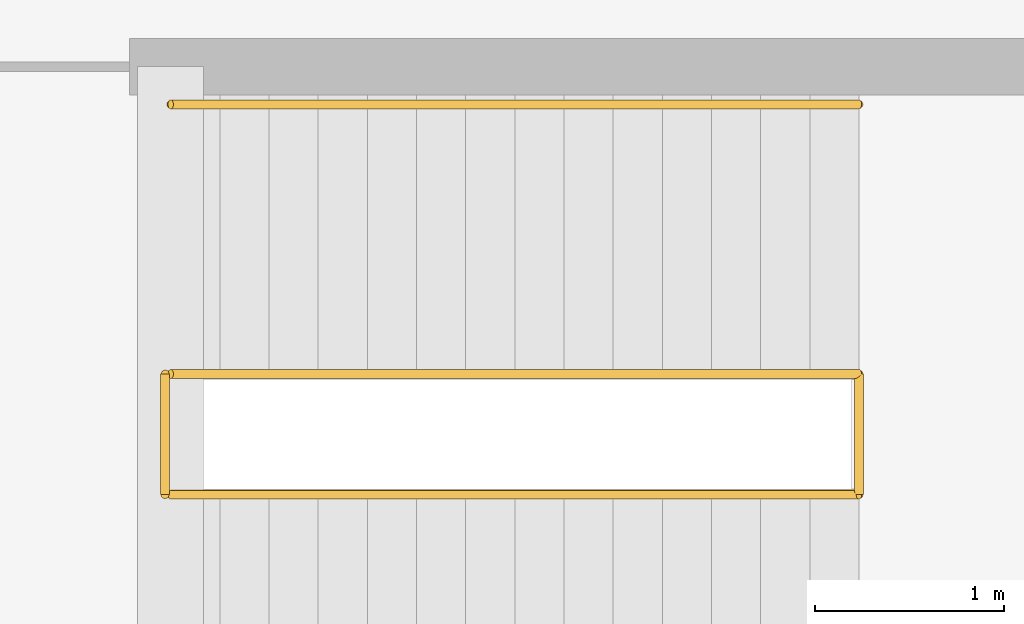
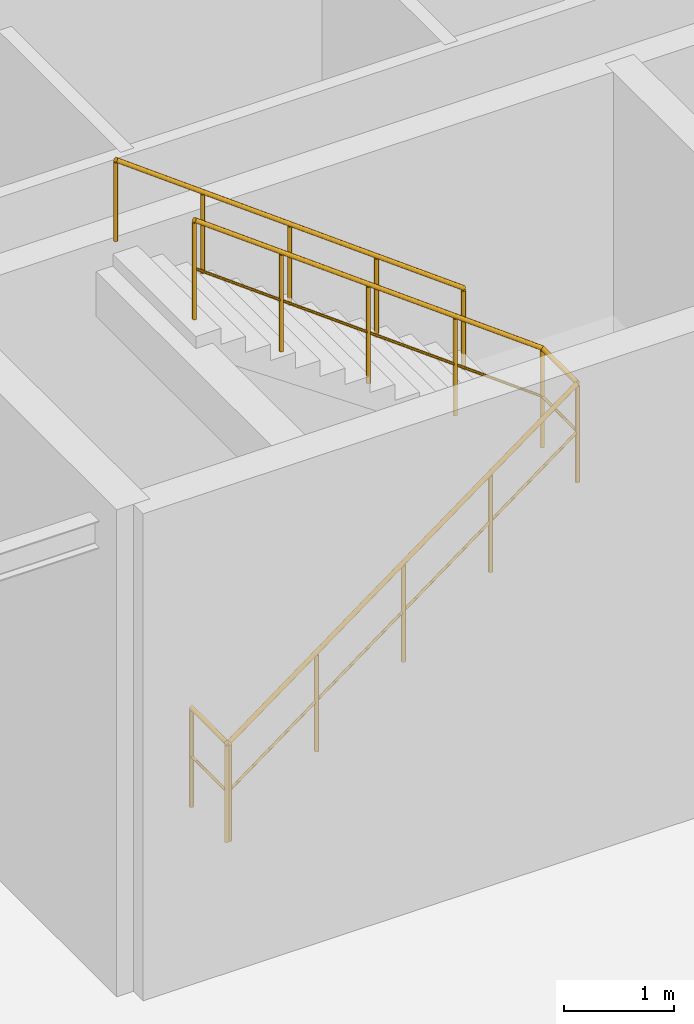
# One storey, part 197 of 197: 3 railings.
"""IFC4 building model written with IfcOpenShell, lengths in metres."""

from ifc_helpers import new_model, si_unit, derived_unit, direction, frame, origin, origin_2d, place, context, subcontext, project, spatial, circle, extrude, material, type_object, element, save


model = new_model("IFC4")

# Units and contexts
model_context = context("Model", 3, precision=1e-05, world=origin(), true_north=direction((0.0, 1.0)))
body_context = subcontext(model_context, "Body", "Model", "MODEL_VIEW")
ifc_project = project(units=[si_unit("LENGTHUNIT", "METRE"), si_unit("AREAUNIT", "SQUARE_METRE"), si_unit("VOLUMEUNIT", "CUBIC_METRE"), si_unit("PLANEANGLEUNIT", "RADIAN"), si_unit("MASSUNIT", "GRAM", prefix="KILO"), derived_unit("THERMALTRANSMITTANCEUNIT", [(si_unit("POWERUNIT", "WATT"), 1), (si_unit("LENGTHUNIT", "METRE"), -2), (si_unit("THERMODYNAMICTEMPERATUREUNIT", "KELVIN"), -1)])], contexts=[model_context])

# Site, building, storey
site_placement = place(None, origin())
site = spatial("IfcSite", under=ifc_project, at=site_placement, CompositionType="ELEMENT")
building_placement = place(site_placement, origin())
building = spatial("IfcBuilding", under=site, at=building_placement, Name="Almenara Railside Exhibition Hall", CompositionType="ELEMENT")
storey_placement = place(building_placement, frame((0.0, 0.0, 5.39990234375)))
storey = spatial("IfcBuildingStorey", under=building, at=storey_placement, Name="L01", CompositionType="ELEMENT", Elevation=5.39990234375)

# Railings
ifc_material_1 = material(Name="Bronze-finished tubular steel handrail", Category="steel")
railing_type_1 = type_object("IfcRailingType", Name="Stair Pitch Handrail 920mm", PredefinedType="HANDRAIL", material=ifc_material_1)
railing_1_placement = place(storey_placement, frame((132.39990234375, 102.300048828125, 2.7001953125)))
element("IfcRailing", 1, at=railing_1_placement, inside=storey, type_object=railing_type_1, Name="HR-L01-0074", PredefinedType="HANDRAIL", context=body_context, shape_type="SweptSolid", body=[
    extrude(circle(Radius=0.02392578125, at=origin_2d()), frame((0.0, 0.0, 0.89599609375), z_axis=(-0.803944740431, 0.0, 0.594704005647), x_axis=(0.0, -1.0, 0.0)), (0.0, 0.0, 1.0), 4.5400390625),
    extrude(circle(Radius=0.02099609375, at=origin_2d()), origin(), (0.0, 0.0, 1.0), 0.871826171875),
    extrude(circle(Radius=0.02099609375, at=origin_2d()), frame((-0.91259765625, 0.0, 0.675048828125)), (0.0, 0.0, 1.0), 0.871826171875),
    extrude(circle(Radius=0.02099609375, at=origin_2d()), frame((-1.824951171875, 0.0, 1.35009765625)), (0.0, 0.0, 1.0), 0.871826171875),
    extrude(circle(Radius=0.02099609375, at=origin_2d()), frame((-2.7373046875, 0.0, 2.02490234375)), (0.0, 0.0, 1.0), 0.871826171875),
    extrude(circle(Radius=0.02099609375, at=origin_2d()), frame((-3.64990234375, 0.0, 2.699951171875)), (0.0, 0.0, 1.0), 0.871826171875),
])
ifc_material_2 = material(Name="Dark wrought-iron stair balustrade")
railing_type_2 = type_object("IfcRailingType", Name="Stair Well Guard Rail 1120mm", PredefinedType="BALUSTRADE", material=ifc_material_2)
railing_2_placement = place(storey_placement, frame((128.719970703125, 100.22998046875, 0.0)))
element("IfcRailing", 2, at=railing_2_placement, inside=storey, type_object=railing_type_2, Name="SG-L01-0072", PredefinedType="BALUSTRADE", context=body_context, shape_type="SweptSolid", body=[
    extrude(circle(Radius=0.02392578125, at=origin_2d()), frame((0.0, 0.0, 1.09619140625), z_axis=(0.0, 1.0, 0.0), x_axis=(-1.0, 0.0, 0.0)), (0.0, 0.0, 1.0), 0.64013671875),
    extrude(circle(Radius=0.01416015625, at=origin_2d()), frame((0.0, 0.0, 0.56005859375), z_axis=(0.0, 1.0, 0.0), x_axis=(-1.0, 0.0, 0.0)), (0.0, 0.0, 1.0), 0.64013671875),
    extrude(circle(Radius=0.02099609375, at=origin_2d()), origin(), (0.0, 0.0, 1.0), 1.072021484375),
    extrude(circle(Radius=0.02099609375, at=origin_2d()), frame((0.0, 0.64013671875, 0.0)), (0.0, 0.0, 1.0), 1.072021484375),
])
railing_3_placement = place(storey_placement, frame((128.75, 100.22998046875, 0.0)))
element("IfcRailing", 3, at=railing_3_placement, inside=storey, type_object=railing_type_2, Name="SG-L01-0075", PredefinedType="BALUSTRADE", context=body_context, shape_type="SweptSolid", body=[
    extrude(circle(Radius=0.02392578125, at=origin_2d()), frame((0.0, 0.0, 1.09619140625), z_axis=(0.803919029911, 0.0, 0.594738760589), x_axis=(0.0, 1.0, 0.0)), (0.0, 0.0, 1.0), 4.5400390625),
    extrude(circle(Radius=0.01416015625, at=origin_2d()), frame((0.0, 0.0, 0.56005859375), z_axis=(0.803919029911, 0.0, 0.594738760589), x_axis=(0.0, 1.0, 0.0)), (0.0, 0.0, 1.0), 4.5400390625),
    extrude(circle(Radius=0.02392578125, at=origin_2d()), frame((3.64990234375, 0.0, 3.79638671875), z_axis=(0.0, 1.0, 0.0), x_axis=(-1.0, 0.0, 0.0)), (0.0, 0.0, 1.0), 0.64013671875),
    extrude(circle(Radius=0.01416015625, at=origin_2d()), frame((3.64990234375, 0.0, 3.26025390625), z_axis=(0.0, 1.0, 0.0), x_axis=(-1.0, 0.0, 0.0)), (0.0, 0.0, 1.0), 0.64013671875),
    extrude(circle(Radius=0.02392578125, at=origin_2d()), frame((3.64990234375, 0.64013671875, 3.79638671875), z_axis=(-0.803944740431, 0.0, 0.594704005647), x_axis=(0.0, -1.0, 0.0)), (0.0, 0.0, 1.0), 4.5400390625),
    extrude(circle(Radius=0.01416015625, at=origin_2d()), frame((3.64990234375, 0.64013671875, 3.26025390625), z_axis=(-0.803944740431, 0.0, 0.594704005647), x_axis=(0.0, -1.0, 0.0)), (0.0, 0.0, 1.0), 4.5400390625),
    extrude(circle(Radius=0.02099609375, at=origin_2d()), origin(), (0.0, 0.0, 1.0), 1.072021484375),
    extrude(circle(Radius=0.02099609375, at=origin_2d()), frame((0.91259765625, 0.0, 0.675048828125)), (0.0, 0.0, 1.0), 1.072021484375),
    extrude(circle(Radius=0.02099609375, at=origin_2d()), frame((1.824951171875, 0.0, 1.35009765625)), (0.0, 0.0, 1.0), 1.072021484375),
    extrude(circle(Radius=0.02099609375, at=origin_2d()), frame((2.7373046875, 0.0, 2.025146484375)), (0.0, 0.0, 1.0), 1.072021484375),
    extrude(circle(Radius=0.02099609375, at=origin_2d()), frame((3.64990234375, 0.0, 2.7001953125)), (0.0, 0.0, 1.0), 1.072021484375),
    extrude(circle(Radius=0.02099609375, at=origin_2d()), frame((3.64990234375, 0.64013671875, 2.7001953125)), (0.0, 0.0, 1.0), 1.072021484375),
    extrude(circle(Radius=0.02099609375, at=origin_2d()), frame((2.7373046875, 0.64013671875, 3.375244140625)), (0.0, 0.0, 1.0), 1.072021484375),
    extrude(circle(Radius=0.02099609375, at=origin_2d()), frame((1.824951171875, 0.64013671875, 4.05029296875)), (0.0, 0.0, 1.0), 1.072021484375),
    extrude(circle(Radius=0.02099609375, at=origin_2d()), frame((0.91259765625, 0.64013671875, 4.72509765625)), (0.0, 0.0, 1.0), 1.072021484375),
    extrude(circle(Radius=0.02099609375, at=origin_2d()), frame((0.0, 0.64013671875, 5.400146484375)), (0.0, 0.0, 1.0), 1.072021484375),
])

save(model, "model.ifc")
